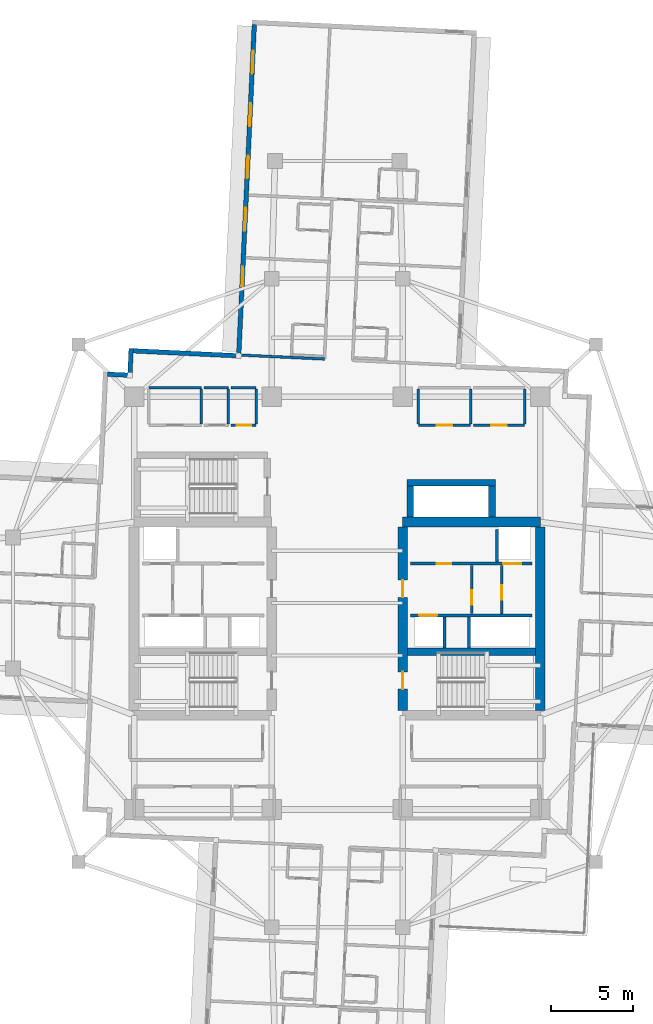
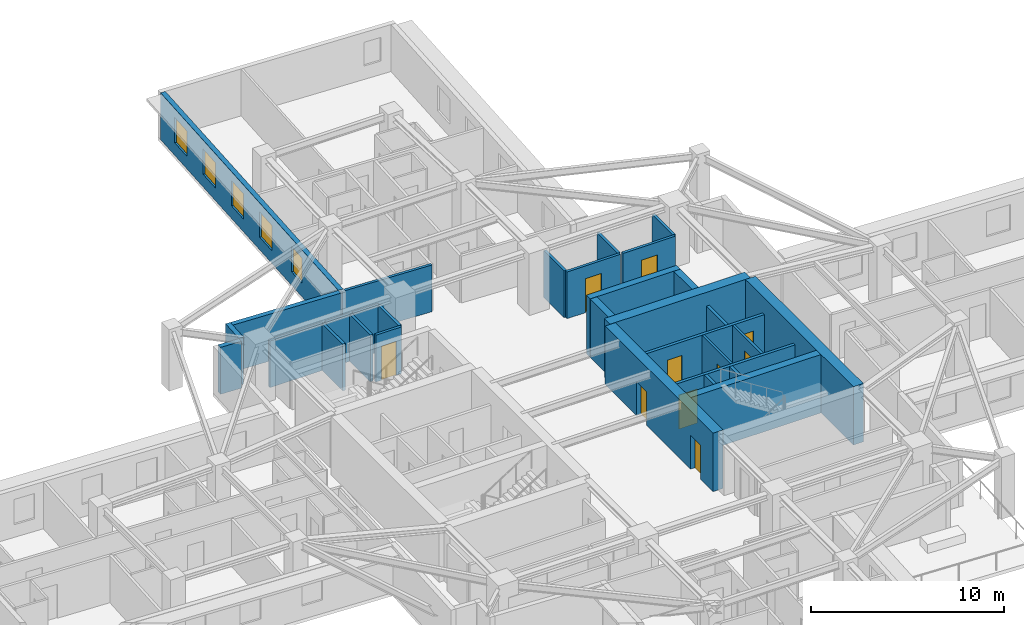
# One storey, part 7 of 14: 31 walls, 10 doors, 5 windows, 15 openings.
"""IFC4 building model written with IfcOpenShell, lengths in metres."""

from ifc_helpers import new_model, si_unit, direction, frame, frame_2d, origin, place, context, subcontext, project, spatial, rectangle, extrude, material, layer, layer_set, type_object, element, fill, save


model = new_model("IFC4")

# Units and contexts
model_context = context("Model", 3, precision=1e-05, world=origin(), true_north=direction((0.0, 1.0)))
body_context = subcontext(model_context, "Body", "Model", "MODEL_VIEW")
ifc_project = project(units=[si_unit("LENGTHUNIT", "METRE"), si_unit("AREAUNIT", "SQUARE_METRE"), si_unit("VOLUMEUNIT", "CUBIC_METRE"), si_unit("PLANEANGLEUNIT", "RADIAN"), si_unit("MASSUNIT", "GRAM", prefix="KILO")], contexts=[model_context])

# Site, building, storey
site_placement = place(None, origin())
site = spatial("IfcSite", under=ifc_project, at=site_placement, CompositionType="ELEMENT")
building_placement = place(site_placement, origin())
building = spatial("IfcBuilding", under=site, at=building_placement, Name="Qingluan Cross Belvedere", CompositionType="ELEMENT")
storey_placement = place(building_placement, frame((0.0, 0.0, 172.199951171875)))
storey = spatial("IfcBuildingStorey", under=building, at=storey_placement, Name="L43", CompositionType="ELEMENT", Elevation=172.199951171875)

# Walls
ifc_material_1 = material(Name="Concrete C50", Category="concrete")
ifc_layer_1 = layer(ifc_material_1, 0.449951171875, Name="CoreShearWall_450")
ifc_layer_set_1 = layer_set([ifc_layer_1], Name="Concrete C50")
wall_type_1 = type_object("IfcWallType", Name="CoreShearWall_450", PredefinedType="SHEAR", material=ifc_layer_set_1)
wall_1_placement = place(storey_placement, frame((4.304931640625, -2.9599609375, 0.0), z_axis=(0.0, 0.0, 1.0), x_axis=(1.0, 0.0, 0.0)))
element("IfcWall", 1, at=wall_1_placement, inside=storey, type_object=wall_type_1, Name="Split core E shear wall L43-M", PredefinedType="SHEAR", context=body_context, shape_type="SweptSolid", body=[
    extrude(rectangle(XDim=7.7900390625, YDim=0.449951171875, at=frame_2d((3.89501953125, 0.0))), origin(), (0.0, 0.0, 1.0), 3.699951171875),
])
wall_2_placement = place(storey_placement, frame((4.449951171875, 5.2548828125, 0.0), z_axis=(0.0, 0.0, 1.0), x_axis=(0.0, 1.0, 0.0)))
element("IfcWall", 2, at=wall_2_placement, inside=storey, type_object=wall_type_1, Name="Express shuttle core wall L43-W", PredefinedType="SHEAR", context=body_context, shape_type="SweptSolid", body=[
    extrude(rectangle(XDim=1.885009765625, YDim=0.39990234375, at=frame_2d((0.9423828125, 0.0))), origin(), (0.0, 0.0, 1.0), 3.699951171875),
])
wall_3_placement = place(storey_placement, frame((4.25, 7.35009765625, 0.0), z_axis=(0.0, 0.0, 1.0), x_axis=(1.0, 0.0, 0.0)))
element("IfcWall", 3, at=wall_3_placement, inside=storey, type_object=wall_type_1, Name="Express shuttle core wall L43-N", PredefinedType="SHEAR", context=body_context, shape_type="SweptSolid", body=[
    extrude(rectangle(XDim=5.39990234375, YDim=0.39990234375, at=frame_2d((2.699951171875, 0.0))), origin(), (0.0, 0.0, 1.0), 3.699951171875),
])
wall_4_placement = place(storey_placement, frame((9.449951171875, 5.2548828125, 0.0), z_axis=(0.0, 0.0, 1.0), x_axis=(0.0, 1.0, 0.0)))
element("IfcWall", 4, at=wall_4_placement, inside=storey, type_object=wall_type_1, Name="Express shuttle core wall L43-E", PredefinedType="SHEAR", context=body_context, shape_type="SweptSolid", body=[
    extrude(rectangle(XDim=1.885009765625, YDim=0.39990234375, at=frame_2d((0.9423828125, 0.0))), origin(), (0.0, 0.0, 1.0), 3.699951171875),
])
ifc_material_2 = material(Name="Concrete C60", Category="concrete")
ifc_layer_2 = layer(ifc_material_2, 0.60009765625, Name="CoreShearWall_600")
ifc_layer_set_2 = layer_set([ifc_layer_2], Name="Concrete C60")
wall_type_2 = type_object("IfcWallType", Name="CoreShearWall_600", PredefinedType="SHEAR", material=ifc_layer_set_2)
wall_5_placement = place(storey_placement, frame((4.0, 4.949951171875, 0.0), z_axis=(0.0, 0.0, 1.0), x_axis=(1.0, 0.0, 0.0)))
element("IfcWall", 5, at=wall_5_placement, inside=storey, type_object=wall_type_2, Name="Split core E shear wall L43-N", PredefinedType="SHEAR", context=body_context, shape_type="SweptSolid", body=[
    extrude(rectangle(XDim=8.39990234375, YDim=0.60009765625, at=frame_2d((4.199951171875, 0.0))), origin(), (0.0, 0.0, 1.0), 3.699951171875),
])

# Wall, openings, doors
wall_6_placement = place(storey_placement, frame((4.0, -6.544921875, 0.0), z_axis=(0.0, 0.0, 1.0), x_axis=(0.0, 1.0, 0.0)))
wall_6 = element("IfcWall", 6, at=wall_6_placement, inside=storey, type_object=wall_type_2, Name="Split core E shear wall L43-W", PredefinedType="SHEAR", context=body_context, shape_type="SweptSolid", body=[
    extrude(rectangle(XDim=11.18994140625, YDim=0.60009765625, at=frame_2d((5.594970703125, 0.0))), origin(), (0.0, 0.0, 1.0), 3.699951171875),
])
opening_1_placement = place(wall_6_placement, frame((1.294921875, 0.0, 0.0)))
opening_1 = element("IfcOpeningElement", 7, at=opening_1_placement, cuts=wall_6, Name="Opening FD-B11", PredefinedType="OPENING", context=body_context, shape_type="SweptSolid", body=[
    extrude(rectangle(XDim=1.050048828125, YDim=2.14990234375, at=frame_2d((0.52490234375, 1.074951171875))), frame((0.0, 0.31005859375, 0.0), z_axis=(0.0, -1.0, 0.0), x_axis=(1.0, 0.0, 0.0)), (0.0, 0.0, 1.0), 0.6201171875),
])
opening_2_placement = place(wall_6_placement, frame((6.89501953125, 0.0, 0.0)))
opening_2 = element("IfcOpeningElement", 8, at=opening_2_placement, cuts=wall_6, Name="Opening FD-B11", PredefinedType="OPENING", context=body_context, shape_type="SweptSolid", body=[
    extrude(rectangle(XDim=1.050048828125, YDim=2.14990234375, at=frame_2d((0.52490234375, 1.074951171875))), frame((0.0, 0.31005859375, 0.0), z_axis=(0.0, -1.0, 0.0), x_axis=(1.0, 0.0, 0.0)), (0.0, 0.0, 1.0), 0.6201171875),
])
ifc_material_3 = material(Name="Steel Class B smoke-seal fire door", Category="steel")
door_type_1 = type_object("IfcDoorType", Name="StairLobbyFireDoor_FDB", OperationType="NOTDEFINED", PredefinedType="DOOR", material=ifc_material_3)
door_1_placement = place(opening_1_placement, origin())
door_1 = element("IfcDoor", 9, at=door_1_placement, inside=storey, type_object=door_type_1, Name="Smoke-proof stair ST2 fire door L43", OperationType="SINGLE_SWING_RIGHT", OverallHeight=2.14990234375, OverallWidth=1.050048828125, PredefinedType="DOOR", context=body_context, shape_type="SweptSolid", body=[
    extrude(rectangle(XDim=1.050048828125, YDim=2.14990234375, at=frame_2d((0.52490234375, 1.074951171875))), frame((0.0, 0.02490234375, 0.0), z_axis=(0.0, -1.0, 0.0), x_axis=(1.0, 0.0, 0.0)), (0.0, 0.0, 1.0), 0.050048828125),
])
fill(opening_1, door_1)
door_2_placement = place(opening_2_placement, origin())
door_2 = element("IfcDoor", 10, at=door_2_placement, inside=storey, type_object=door_type_1, Name="Firefighting lobby East fire door L43", OperationType="SINGLE_SWING_RIGHT", OverallHeight=2.14990234375, OverallWidth=1.050048828125, PredefinedType="DOOR", context=body_context, shape_type="SweptSolid", body=[
    extrude(rectangle(XDim=1.050048828125, YDim=2.14990234375, at=frame_2d((0.52490234375, 1.074951171875))), frame((0.0, 0.02490234375, 0.0), z_axis=(0.0, -1.0, 0.0), x_axis=(1.0, 0.0, 0.0)), (0.0, 0.0, 1.0), 0.050048828125),
])
fill(opening_2, door_2)

# Wall
wall_7_placement = place(storey_placement, frame((12.39990234375, -6.544921875, 0.0), z_axis=(0.0, 0.0, 1.0), x_axis=(0.0, 1.0, 0.0)))
element("IfcWall", 11, at=wall_7_placement, inside=storey, type_object=wall_type_2, Name="Split core E shear wall L43-E", PredefinedType="SHEAR", context=body_context, shape_type="SweptSolid", body=[
    extrude(rectangle(XDim=11.18994140625, YDim=0.60009765625, at=frame_2d((5.594970703125, 0.0))), origin(), (0.0, 0.0, 1.0), 3.699951171875),
])

# Wall, opening, door
ifc_material_4 = material(Name="Gypsum plasterboard on steel stud acoustic partition", Category="steel")
ifc_layer_3 = layer(ifc_material_4, 0.159912109375, Name="CorridorPartition_160")
ifc_layer_set_3 = layer_set([ifc_layer_3], Name="Gypsum plasterboard on steel stud acoustic partition")
wall_type_3 = type_object("IfcWallType", Name="CorridorPartition_160", PredefinedType="PARTITIONING", material=ifc_layer_set_3)
wall_8_placement = place(storey_placement, frame((10.050048828125, -0.652099609375, 0.0), z_axis=(0.0, 0.0, 1.0), x_axis=(0.0, 1.0, 0.0)))
wall_8 = element("IfcWall", 12, at=wall_8_placement, inside=storey, type_object=wall_type_3, Name="Partition L43:ev", PredefinedType="PARTITIONING", context=body_context, shape_type="SweptSolid", body=[
    extrude(rectangle(XDim=2.962158203125, YDim=0.139892578125, at=frame_2d((1.48095703125, 0.0))), origin(), (0.0, 0.0, 1.0), 2.9599609375),
])
opening_3_placement = place(wall_8_placement, frame((0.85009765625, 0.0, 0.0)))
opening_3 = element("IfcOpeningElement", 13, at=opening_3_placement, cuts=wall_8, Name="Opening FD-B10", PredefinedType="OPENING", context=body_context, shape_type="SweptSolid", body=[
    extrude(rectangle(XDim=0.8798828125, YDim=2.10009765625, at=frame_2d((0.43994140625, 1.050048828125))), frame((0.0, 0.079833984375, 0.0), z_axis=(0.0, -1.0, 0.0), x_axis=(1.0, 0.0, 0.0)), (0.0, 0.0, 1.0), 0.159912109375),
])
ifc_material_5 = material(Name="Steel Class B service fire door", Category="steel")
door_type_2 = type_object("IfcDoorType", Name="RiserServiceFireDoor_FDB", OperationType="NOTDEFINED", PredefinedType="DOOR", material=ifc_material_5)
door_3_placement = place(opening_3_placement, origin())
door_3 = element("IfcDoor", 14, at=door_3_placement, inside=storey, type_object=door_type_2, Name="Service closet inner door L43", OperationType="SINGLE_SWING_LEFT", OverallHeight=2.10009765625, OverallWidth=0.8798828125, PredefinedType="DOOR", context=body_context, shape_type="SweptSolid", body=[
    extrude(rectangle(XDim=0.8798828125, YDim=2.10009765625, at=frame_2d((0.43994140625, 1.050048828125))), frame((0.0, 0.02490234375, 0.0), z_axis=(0.0, -1.0, 0.0), x_axis=(1.0, 0.0, 0.0)), (0.0, 0.0, 1.0), 0.050048828125),
])
fill(opening_3, door_3)

# Walls
wall_9_placement = place(storey_placement, frame((-11.5, 13.14990234375, 0.0), z_axis=(0.0, 0.0, 1.0), x_axis=(1.0, 0.0, 0.0)))
element("IfcWall", 15, at=wall_9_placement, inside=storey, type_object=wall_type_3, Name="Partition L43:q_nw_occ:N", PredefinedType="PARTITIONING", context=body_context, shape_type="SweptSolid", body=[
    extrude(rectangle(XDim=3.199951171875, YDim=0.159912109375, at=frame_2d((1.60009765625, 0.0))), origin(), (0.0, 0.0, 1.0), 2.9599609375),
])
wall_10_placement = place(storey_placement, frame((-8.300048828125, 10.93505859375, 0.0), z_axis=(0.0, 0.0, 1.0), x_axis=(0.0, 1.0, 0.0)))
element("IfcWall", 16, at=wall_10_placement, inside=storey, type_object=wall_type_3, Name="Partition L43:q_nw_occ:E", PredefinedType="PARTITIONING", context=body_context, shape_type="SweptSolid", body=[
    extrude(rectangle(XDim=2.1298828125, YDim=0.159912109375, at=frame_2d((1.06494140625, 0.0))), origin(), (0.0, 0.0, 1.0), 2.9599609375),
])
wall_11_placement = place(storey_placement, frame((-8.139892578125, 13.14990234375, 0.0), z_axis=(0.0, 0.0, 1.0), x_axis=(1.0, 0.0, 0.0)))
element("IfcWall", 17, at=wall_11_placement, inside=storey, type_object=wall_type_3, Name="Partition L43:hk_linen:N", PredefinedType="PARTITIONING", context=body_context, shape_type="SweptSolid", body=[
    extrude(rectangle(XDim=1.489990234375, YDim=0.159912109375, at=frame_2d((0.7451171875, 0.0))), origin(), (0.0, 0.0, 1.0), 2.9599609375),
])
wall_12_placement = place(storey_placement, frame((-6.64990234375, 10.93505859375, 0.0), z_axis=(0.0, 0.0, 1.0), x_axis=(0.0, 1.0, 0.0)))
element("IfcWall", 18, at=wall_12_placement, inside=storey, type_object=wall_type_3, Name="Partition L43:hk_linen:E", PredefinedType="PARTITIONING", context=body_context, shape_type="SweptSolid", body=[
    extrude(rectangle(XDim=2.1298828125, YDim=0.159912109375, at=frame_2d((1.06494140625, 0.0))), origin(), (0.0, 0.0, 1.0), 2.9599609375),
])

# Wall, opening, door
wall_13_placement = place(storey_placement, frame((-6.489990234375, 10.85009765625, 0.0), z_axis=(0.0, 0.0, 1.0), x_axis=(1.0, 0.0, 0.0)))
wall_13 = element("IfcWall", 19, at=wall_13_placement, inside=storey, type_object=wall_type_3, Name="Partition L43:floor_acc_wc:S", PredefinedType="PARTITIONING", context=body_context, shape_type="SweptSolid", body=[
    extrude(rectangle(XDim=1.5400390625, YDim=0.159912109375, at=frame_2d((0.77001953125, 0.0))), origin(), (0.0, 0.0, 1.0), 2.9599609375),
])
opening_4_placement = place(wall_13_placement, frame((0.35009765625, 0.0, 0.0)))
opening_4 = element("IfcOpeningElement", 20, at=opening_4_placement, cuts=wall_13, Name="Opening BD-08", PredefinedType="OPENING", context=body_context, shape_type="SweptSolid", body=[
    extrude(rectangle(XDim=0.8798828125, YDim=2.14990234375, at=frame_2d((0.43994140625, 1.074951171875))), frame((0.0, 0.08984375, 0.0), z_axis=(0.0, -1.0, 0.0), x_axis=(1.0, 0.0, 0.0)), (0.0, 0.0, 1.0), 0.179931640625),
])
ifc_material_6 = material(Name="Moisture-sealed timber accessible WC door", Category="wood")
door_type_3 = type_object("IfcDoorType", Name="AccessibleWCDoor_880", OperationType="NOTDEFINED", PredefinedType="DOOR", material=ifc_material_6)
door_4_placement = place(opening_4_placement, origin())
door_4 = element("IfcDoor", 21, at=door_4_placement, inside=storey, type_object=door_type_3, Name="Accessible guest washroom L43 door", OperationType="SINGLE_SWING_RIGHT", OverallHeight=2.14990234375, OverallWidth=0.8798828125, PredefinedType="DOOR", context=body_context, shape_type="SweptSolid", body=[
    extrude(rectangle(XDim=0.8798828125, YDim=2.14990234375, at=frame_2d((0.43994140625, 1.074951171875))), frame((0.0, 0.02490234375, 0.0), z_axis=(0.0, -1.0, 0.0), x_axis=(1.0, 0.0, 0.0)), (0.0, 0.0, 1.0), 0.050048828125),
])
fill(opening_4, door_4)

# Walls
wall_14_placement = place(storey_placement, frame((-6.489990234375, 13.14990234375, 0.0), z_axis=(0.0, 0.0, 1.0), x_axis=(1.0, 0.0, 0.0)))
element("IfcWall", 22, at=wall_14_placement, inside=storey, type_object=wall_type_3, Name="Partition L43:floor_acc_wc:N", PredefinedType="PARTITIONING", context=body_context, shape_type="SweptSolid", body=[
    extrude(rectangle(XDim=1.5400390625, YDim=0.159912109375, at=frame_2d((0.77001953125, 0.0))), origin(), (0.0, 0.0, 1.0), 2.9599609375),
])
wall_15_placement = place(storey_placement, frame((-4.949951171875, 10.93505859375, 0.0), z_axis=(0.0, 0.0, 1.0), x_axis=(0.0, 1.0, 0.0)))
element("IfcWall", 23, at=wall_15_placement, inside=storey, type_object=wall_type_3, Name="Partition L43:floor_acc_wc:E", PredefinedType="PARTITIONING", context=body_context, shape_type="SweptSolid", body=[
    extrude(rectangle(XDim=2.1298828125, YDim=0.159912109375, at=frame_2d((1.06494140625, 0.0))), origin(), (0.0, 0.0, 1.0), 2.9599609375),
])

# Wall, opening, door
wall_16_placement = place(storey_placement, frame((4.949951171875, 10.85009765625, 0.0), z_axis=(0.0, 0.0, 1.0), x_axis=(1.0, 0.0, 0.0)))
wall_16 = element("IfcWall", 24, at=wall_16_placement, inside=storey, type_object=wall_type_3, Name="Partition L43:q_ne1:S", PredefinedType="PARTITIONING", context=body_context, shape_type="SweptSolid", body=[
    extrude(rectangle(XDim=3.199951171875, YDim=0.159912109375, at=frame_2d((1.60009765625, 0.0))), origin(), (0.0, 0.0, 1.0), 2.9599609375),
])
opening_5_placement = place(wall_16_placement, frame((1.1201171875, 0.0, 0.0)))
opening_5 = element("IfcOpeningElement", 25, at=opening_5_placement, cuts=wall_16, Name="Opening GD-10", PredefinedType="OPENING", context=body_context, shape_type="SweptSolid", body=[
    extrude(rectangle(XDim=0.9599609375, YDim=2.14990234375, at=frame_2d((0.47998046875, 1.074951171875))), frame((0.0, 0.08984375, 0.0), z_axis=(0.0, -1.0, 0.0), x_axis=(1.0, 0.0, 0.0)), (0.0, 0.0, 1.0), 0.179931640625),
])
ifc_material_7 = material(Name="Timber oak fire-rated acoustic guestroom door", Category="wood")
door_type_4 = type_object("IfcDoorType", Name="GuestEntryDoor_FD60", OperationType="NOTDEFINED", PredefinedType="DOOR", material=ifc_material_7)
door_5_placement = place(opening_5_placement, origin())
door_5 = element("IfcDoor", 26, at=door_5_placement, inside=storey, type_object=door_type_4, Name="Meditation wellness hall L43 door", OperationType="SINGLE_SWING_LEFT", OverallHeight=2.14990234375, OverallWidth=0.9599609375, PredefinedType="DOOR", context=body_context, shape_type="SweptSolid", body=[
    extrude(rectangle(XDim=0.9599609375, YDim=2.14990234375, at=frame_2d((0.47998046875, 1.074951171875))), frame((0.0, 0.02490234375, 0.0), z_axis=(0.0, -1.0, 0.0), x_axis=(1.0, 0.0, 0.0)), (0.0, 0.0, 1.0), 0.050048828125),
])
fill(opening_5, door_5)

# Walls
for number, where, z_axis, x_axis, name in (
    (27, (4.949951171875, 10.93505859375, 0.0), (0.0, 0.0, 1.0), (0.0, 1.0, 0.0), "Partition L43:q_ne1:W"),
    (28, (8.14990234375, 10.93505859375, 0.0), (0.0, 0.0, 1.0), (0.0, 1.0, 0.0), "Partition L43:q_ne1:E"),
):
    element("IfcWall", number, at=place(storey_placement, frame(where, z_axis=z_axis, x_axis=x_axis)), inside=storey, type_object=wall_type_3, Name=name, PredefinedType="PARTITIONING", context=body_context, shape_type="SweptSolid", body=[
        extrude(rectangle(XDim=2.1298828125, YDim=0.159912109375, at=frame_2d((1.06494140625, 0.0))), origin(), (0.0, 0.0, 1.0), 2.9599609375),
    ])

# Wall, opening, door
wall_17_placement = place(storey_placement, frame((8.31005859375, 10.85009765625, 0.0), z_axis=(0.0, 0.0, 1.0), x_axis=(1.0, 0.0, 0.0)))
wall_17 = element("IfcWall", 29, at=wall_17_placement, inside=storey, type_object=wall_type_3, Name="Partition L43:q_ne2:S", PredefinedType="PARTITIONING", context=body_context, shape_type="SweptSolid", body=[
    extrude(rectangle(XDim=3.139892578125, YDim=0.159912109375, at=frame_2d((1.56982421875, 0.0))), origin(), (0.0, 0.0, 1.0), 2.9599609375),
])
opening_6_placement = place(wall_17_placement, frame((1.090087890625, 0.0, 0.0)))
opening_6 = element("IfcOpeningElement", 30, at=opening_6_placement, cuts=wall_17, Name="Opening GD-10", PredefinedType="OPENING", context=body_context, shape_type="SweptSolid", body=[
    extrude(rectangle(XDim=0.9599609375, YDim=2.14990234375, at=frame_2d((0.47998046875, 1.074951171875))), frame((0.0, 0.08984375, 0.0), z_axis=(0.0, -1.0, 0.0), x_axis=(1.0, 0.0, 0.0)), (0.0, 0.0, 1.0), 0.179931640625),
])
door_6_placement = place(opening_6_placement, origin())
door_6 = element("IfcDoor", 31, at=door_6_placement, inside=storey, type_object=door_type_4, Name="Northeast quiet study L43 door", OperationType="SINGLE_SWING_RIGHT", OverallHeight=2.14990234375, OverallWidth=0.9599609375, PredefinedType="DOOR", context=body_context, shape_type="SweptSolid", body=[
    extrude(rectangle(XDim=0.9599609375, YDim=2.14990234375, at=frame_2d((0.47998046875, 1.074951171875))), frame((0.0, 0.02490234375, 0.0), z_axis=(0.0, -1.0, 0.0), x_axis=(1.0, 0.0, 0.0)), (0.0, 0.0, 1.0), 0.050048828125),
])
fill(opening_6, door_6)

# Walls
wall_18_placement = place(storey_placement, frame((11.449951171875, 10.93505859375, 0.0), z_axis=(0.0, 0.0, 1.0), x_axis=(0.0, 1.0, 0.0)))
element("IfcWall", 32, at=wall_18_placement, inside=storey, type_object=wall_type_3, Name="Partition L43:q_ne2:E", PredefinedType="PARTITIONING", context=body_context, shape_type="SweptSolid", body=[
    extrude(rectangle(XDim=2.1298828125, YDim=0.159912109375, at=frame_2d((1.06494140625, 0.0))), origin(), (0.0, 0.0, 1.0), 2.9599609375),
])
wall_19_placement = place(storey_placement, frame((-0.77880859375, 14.9033203125, 0.0), z_axis=(0.0, 0.0, 1.0), x_axis=(-0.998889957338, 0.047104703898, 0.0)))
element("IfcWall", 33, at=wall_19_placement, inside=storey, type_object=wall_type_3, Name="Partition L43:N:s1", PredefinedType="PARTITIONING", context=body_context, shape_type="SweptSolid", body=[
    extrude(rectangle(XDim=5.239990234375, YDim=0.159912109375, at=frame_2d((2.6201171875, 0.0))), origin(), (0.0, 0.0, 1.0), 2.9599609375),
])

# Wall, openings, windows
ifc_material_8 = material(Name="Precast concrete C45", Category="concrete")
ifc_layer_4 = layer(ifc_material_8, 0.280029296875, Name="PrecastFacadeWall_280")
ifc_layer_set_4 = layer_set([ifc_layer_4], Name="Precast concrete C45")
wall_type_4 = type_object("IfcWallType", Name="PrecastFacadeWall_280", PredefinedType="STANDARD", material=ifc_layer_set_4)
wall_20_placement = place(storey_placement, frame((-5.06201171875, 35.317626953125, 0.0), z_axis=(0.0, 0.0, 1.0), x_axis=(-0.047103473814, -0.998890015344, 0.0)))
wall_20 = element("IfcWall", 34, at=wall_20_placement, inside=storey, type_object=wall_type_4, Name="Facade wall L43-NB", PredefinedType="STANDARD", context=body_context, shape_type="SweptSolid", body=[
    extrude(rectangle(XDim=20.099853515625, YDim=0.280029296875, at=frame_2d((10.0498046875, 0.0))), origin(), (0.0, 0.0, 1.0), 2.969970703125),
])
opening_7_placement = place(wall_20_placement, frame((1.60009765625, 0.0, 0.800048828125)))
opening_7 = element("IfcOpeningElement", 35, at=opening_7_placement, cuts=wall_20, Name="Opening W-01", PredefinedType="OPENING", context=body_context, shape_type="SweptSolid", body=[
    extrude(rectangle(XDim=1.39990234375, YDim=1.60009765625, at=frame_2d((0.699951171875, 0.800048828125))), frame((0.0, 0.14990234375, 0.0), z_axis=(0.0, -1.0, 0.0), x_axis=(1.0, 0.0, 0.0)), (0.0, 0.0, 1.0), 0.300048828125),
])
opening_8_placement = place(wall_20_placement, frame((4.800048828125, 0.0, 0.800048828125)))
opening_8 = element("IfcOpeningElement", 36, at=opening_8_placement, cuts=wall_20, Name="Opening W-01", PredefinedType="OPENING", context=body_context, shape_type="SweptSolid", body=[
    extrude(rectangle(XDim=1.39990234375, YDim=1.60009765625, at=frame_2d((0.699951171875, 0.800048828125))), frame((0.0, 0.14990234375, 0.0), z_axis=(0.0, -1.0, 0.0), x_axis=(1.0, 0.0, 0.0)), (0.0, 0.0, 1.0), 0.300048828125),
])
opening_9_placement = place(wall_20_placement, frame((8.0, 0.0, 0.800048828125)))
opening_9 = element("IfcOpeningElement", 37, at=opening_9_placement, cuts=wall_20, Name="Opening W-01", PredefinedType="OPENING", context=body_context, shape_type="SweptSolid", body=[
    extrude(rectangle(XDim=1.39990234375, YDim=1.60009765625, at=frame_2d((0.699951171875, 0.800048828125))), frame((0.0, 0.14990234375, 0.0), z_axis=(0.0, -1.0, 0.0), x_axis=(1.0, 0.0, 0.0)), (0.0, 0.0, 1.0), 0.300048828125),
])
opening_10_placement = place(wall_20_placement, frame((11.199951171875, 0.0, 0.800048828125)))
opening_10 = element("IfcOpeningElement", 38, at=opening_10_placement, cuts=wall_20, Name="Opening W-01", PredefinedType="OPENING", context=body_context, shape_type="SweptSolid", body=[
    extrude(rectangle(XDim=1.39990234375, YDim=1.60009765625, at=frame_2d((0.699951171875, 0.800048828125))), frame((0.0, 0.14990234375, 0.0), z_axis=(0.0, -1.0, 0.0), x_axis=(1.0, 0.0, 0.0)), (0.0, 0.0, 1.0), 0.300048828125),
])
opening_11_placement = place(wall_20_placement, frame((14.799072265625, 0.0, 0.85009765625)))
opening_11 = element("IfcOpeningElement", 39, at=opening_11_placement, cuts=wall_20, Name="Opening W-02", PredefinedType="OPENING", context=body_context, shape_type="SweptSolid", body=[
    extrude(rectangle(XDim=1.199951171875, YDim=1.60009765625, at=frame_2d((0.60009765625, 0.800048828125))), frame((0.0, 0.14990234375, 0.0), z_axis=(0.0, -1.0, 0.0), x_axis=(1.0, 0.0, 0.0)), (0.0, 0.0, 1.0), 0.300048828125),
])
ifc_material_9 = material(Name="Thermally broken triple Low-E glass in aluminium frame", Category="aluminium")
window_type_1 = type_object("IfcWindowType", Name="TriRibbonWin_1200x1600", PartitioningType="SINGLE_PANEL", PredefinedType="WINDOW", material=ifc_material_9)
window_1_placement = place(opening_11_placement, origin())
window_1 = element("IfcWindow", 40, at=window_1_placement, inside=storey, type_object=window_type_1, Name="Corner hotel suite 4313 daylight window", OverallHeight=1.60009765625, OverallWidth=1.199951171875, PartitioningType="SINGLE_PANEL", PredefinedType="WINDOW", context=body_context, shape_type="SweptSolid", body=[
    extrude(rectangle(XDim=1.199951171875, YDim=1.60009765625, at=frame_2d((0.60009765625, 0.800048828125))), frame((0.0, 0.030029296875, 0.0), z_axis=(0.0, -1.0, 0.0), x_axis=(1.0, 0.0, 0.0)), (0.0, 0.0, 1.0), 0.06005859375),
])
fill(opening_11, window_1)
ifc_material_10 = material(Name="Thermally broken triple Low-E glass in aluminium frame", Category="aluminium")
window_type_2 = type_object("IfcWindowType", Name="TriRibbonWin_1400x1600", PartitioningType="SINGLE_PANEL", PredefinedType="WINDOW", material=ifc_material_10)
window_2_placement = place(opening_7_placement, origin())
window_2 = element("IfcWindow", 41, at=window_2_placement, inside=storey, type_object=window_type_2, Name="Ribbon window L43-NB-1", OverallHeight=1.60009765625, OverallWidth=1.39990234375, PartitioningType="SINGLE_PANEL", PredefinedType="WINDOW", context=body_context, shape_type="SweptSolid", body=[
    extrude(rectangle(XDim=1.39990234375, YDim=1.60009765625, at=frame_2d((0.699951171875, 0.800048828125))), frame((0.0, 0.030029296875, 0.0), z_axis=(0.0, -1.0, 0.0), x_axis=(1.0, 0.0, 0.0)), (0.0, 0.0, 1.0), 0.06005859375),
])
fill(opening_7, window_2)
window_3_placement = place(opening_8_placement, origin())
window_3 = element("IfcWindow", 42, at=window_3_placement, inside=storey, type_object=window_type_2, Name="Ribbon window L43-NB-2", OverallHeight=1.60009765625, OverallWidth=1.39990234375, PartitioningType="SINGLE_PANEL", PredefinedType="WINDOW", context=body_context, shape_type="SweptSolid", body=[
    extrude(rectangle(XDim=1.39990234375, YDim=1.60009765625, at=frame_2d((0.699951171875, 0.800048828125))), frame((0.0, 0.030029296875, 0.0), z_axis=(0.0, -1.0, 0.0), x_axis=(1.0, 0.0, 0.0)), (0.0, 0.0, 1.0), 0.06005859375),
])
fill(opening_8, window_3)
window_4_placement = place(opening_9_placement, origin())
window_4 = element("IfcWindow", 43, at=window_4_placement, inside=storey, type_object=window_type_2, Name="Ribbon window L43-NB-3", OverallHeight=1.60009765625, OverallWidth=1.39990234375, PartitioningType="SINGLE_PANEL", PredefinedType="WINDOW", context=body_context, shape_type="SweptSolid", body=[
    extrude(rectangle(XDim=1.39990234375, YDim=1.60009765625, at=frame_2d((0.699951171875, 0.800048828125))), frame((0.0, 0.030029296875, 0.0), z_axis=(0.0, -1.0, 0.0), x_axis=(1.0, 0.0, 0.0)), (0.0, 0.0, 1.0), 0.06005859375),
])
fill(opening_9, window_4)
window_5_placement = place(opening_10_placement, origin())
window_5 = element("IfcWindow", 44, at=window_5_placement, inside=storey, type_object=window_type_2, Name="Ribbon window L43-NB-4", OverallHeight=1.60009765625, OverallWidth=1.39990234375, PartitioningType="SINGLE_PANEL", PredefinedType="WINDOW", context=body_context, shape_type="SweptSolid", body=[
    extrude(rectangle(XDim=1.39990234375, YDim=1.60009765625, at=frame_2d((0.699951171875, 0.800048828125))), frame((0.0, 0.030029296875, 0.0), z_axis=(0.0, -1.0, 0.0), x_axis=(1.0, 0.0, 0.0)), (0.0, 0.0, 1.0), 0.06005859375),
])
fill(opening_10, window_5)

# Walls
wall_21_placement = place(storey_placement, frame((-14.01708984375, 13.975830078125, 0.0), z_axis=(0.0, 0.0, 1.0), x_axis=(0.998883930236, -0.047232339719, 0.0)))
element("IfcWall", 45, at=wall_21_placement, inside=storey, type_object=wall_type_4, Name="Corner wall L43-NW2", PredefinedType="STANDARD", context=body_context, shape_type="SweptSolid", body=[
    extrude(rectangle(XDim=1.219970703125, YDim=0.280029296875, at=frame_2d((0.60986328125, 0.0))), origin(), (0.0, 0.0, 1.0), 2.969970703125),
])
wall_22_placement = place(storey_placement, frame((-12.652099609375, 14.051513671875, 0.0), z_axis=(0.0, 0.0, 1.0), x_axis=(0.047039284441, 0.99889304018, 0.0)))
element("IfcWall", 46, at=wall_22_placement, inside=storey, type_object=wall_type_4, Name="Corner wall L43-NW3", PredefinedType="STANDARD", context=body_context, shape_type="SweptSolid", body=[
    extrude(rectangle(XDim=1.5, YDim=0.280029296875, at=frame_2d((0.75, 0.0))), origin(), (0.0, 0.0, 1.0), 2.969970703125),
])
wall_23_placement = place(storey_placement, frame((-12.4482421875, 15.403564453125, 0.0), z_axis=(0.0, 0.0, 1.0), x_axis=(0.998889082162, -0.047123258997, 0.0)))
element("IfcWall", 47, at=wall_23_placement, inside=storey, type_object=wall_type_4, Name="Corner wall L43-NW4", PredefinedType="STANDARD", context=body_context, shape_type="SweptSolid", body=[
    extrude(rectangle(XDim=6.300048828125, YDim=0.280029296875, at=frame_2d((3.14990234375, 0.0))), origin(), (0.0, 0.0, 1.0), 2.969970703125),
])

# Wall, openings, doors
ifc_material_11 = material(Name="Concrete C40", Category="concrete")
ifc_layer_5 = layer(ifc_material_11, 0.219970703125, Name="ShaftEnclosureWall_250")
ifc_layer_set_5 = layer_set([ifc_layer_5], Name="Concrete C40")
wall_type_5 = type_object("IfcWallType", Name="ShaftEnclosureWall_250", PredefinedType="SOLIDWALL", material=ifc_layer_set_5)
wall_24_placement = place(storey_placement, frame((4.47998046875, 2.409912109375, 0.0), z_axis=(0.0, 0.0, 1.0), x_axis=(1.0, 0.0, 0.0)))
wall_24 = element("IfcWall", 48, at=wall_24_placement, inside=storey, type_object=wall_type_5, Name="Core-E north hoistway wall L43", PredefinedType="SOLIDWALL", context=body_context, shape_type="SweptSolid", body=[
    extrude(rectangle(XDim=7.419921875, YDim=0.179931640625, at=frame_2d((3.7099609375, 0.0))), origin(), (0.0, 0.0, 1.0), 2.9599609375),
])
opening_12_placement = place(wall_24_placement, frame((5.669921875, 0.0, 0.0)))
opening_12 = element("IfcOpeningElement", 49, at=opening_12_placement, cuts=wall_24, Name="Opening LD-11", PredefinedType="OPENING", context=body_context, shape_type="SweptSolid", body=[
    extrude(rectangle(XDim=1.10009765625, YDim=2.14990234375, at=frame_2d((0.550048828125, 1.074951171875))), frame((0.0, 0.099853515625, 0.0), z_axis=(0.0, -1.0, 0.0), x_axis=(1.0, 0.0, 0.0)), (0.0, 0.0, 1.0), 0.199951171875),
])
opening_13_placement = place(wall_24_placement, frame((1.60009765625, 0.0, 0.0)))
opening_13 = element("IfcOpeningElement", 50, at=opening_13_placement, cuts=wall_24, Name="Opening FD-B10", PredefinedType="OPENING", context=body_context, shape_type="SweptSolid", body=[
    extrude(rectangle(XDim=0.8798828125, YDim=2.10009765625, at=frame_2d((0.43994140625, 1.050048828125))), frame((0.0, 0.099853515625, 0.0), z_axis=(0.0, -1.0, 0.0), x_axis=(1.0, 0.0, 0.0)), (0.0, 0.0, 1.0), 0.199951171875),
])
ifc_material_12 = material(Name="Brushed stainless steel centre-opening lift landing door", Category="steel")
door_type_5 = type_object("IfcDoorType", Name="LiftLandingSlidingDoor_1100", OperationType="DOUBLE_DOOR_SLIDING", PredefinedType="DOOR", material=ifc_material_12)
door_7_placement = place(opening_12_placement, origin())
door_7 = element("IfcDoor", 51, at=door_7_placement, inside=storey, type_object=door_type_5, Name="Lift landing sliding door FL2 L43", OperationType="DOUBLE_DOOR_SLIDING", OverallHeight=2.14990234375, OverallWidth=1.10009765625, PredefinedType="DOOR", context=body_context, shape_type="SweptSolid", body=[
    extrude(rectangle(XDim=1.10009765625, YDim=2.14990234375, at=frame_2d((0.550048828125, 1.074951171875))), frame((0.0, 0.02490234375, 0.0), z_axis=(0.0, -1.0, 0.0), x_axis=(1.0, 0.0, 0.0)), (0.0, 0.0, 1.0), 0.050048828125),
])
fill(opening_12, door_7)
door_8_placement = place(opening_13_placement, origin())
door_8 = element("IfcDoor", 52, at=door_8_placement, inside=storey, type_object=door_type_2, Name="Pantry room door E L43", OperationType="SINGLE_SWING_LEFT", OverallHeight=2.10009765625, OverallWidth=0.8798828125, PredefinedType="DOOR", context=body_context, shape_type="SweptSolid", body=[
    extrude(rectangle(XDim=0.8798828125, YDim=2.10009765625, at=frame_2d((0.43994140625, 1.050048828125))), frame((0.0, 0.02490234375, 0.0), z_axis=(0.0, -1.0, 0.0), x_axis=(1.0, 0.0, 0.0)), (0.0, 0.0, 1.0), 0.050048828125),
])
fill(opening_13, door_8)

# Wall, opening, door
wall_25_placement = place(storey_placement, frame((4.47998046875, -0.75, 0.0), z_axis=(0.0, 0.0, 1.0), x_axis=(1.0, 0.0, 0.0)))
wall_25 = element("IfcWall", 53, at=wall_25_placement, inside=storey, type_object=wall_type_5, Name="Core-E mid hoistway wall L43", PredefinedType="SOLIDWALL", context=body_context, shape_type="SweptSolid", body=[
    extrude(rectangle(XDim=7.419921875, YDim=0.179931640625, at=frame_2d((3.7099609375, 0.0))), origin(), (0.0, 0.0, 1.0), 2.9599609375),
])
opening_14_placement = place(wall_25_placement, frame((0.52001953125, 0.0, 0.0)))
opening_14 = element("IfcOpeningElement", 54, at=opening_14_placement, cuts=wall_25, Name="Opening LD-11", PredefinedType="OPENING", context=body_context, shape_type="SweptSolid", body=[
    extrude(rectangle(XDim=1.10009765625, YDim=2.14990234375, at=frame_2d((0.550048828125, 1.074951171875))), frame((0.0, 0.099853515625, 0.0), z_axis=(0.0, -1.0, 0.0), x_axis=(1.0, 0.0, 0.0)), (0.0, 0.0, 1.0), 0.199951171875),
])
door_9_placement = place(opening_14_placement, origin())
door_9 = element("IfcDoor", 55, at=door_9_placement, inside=storey, type_object=door_type_5, Name="Lift landing sliding door LP7 L43", OperationType="DOUBLE_DOOR_SLIDING", OverallHeight=2.14990234375, OverallWidth=1.10009765625, PredefinedType="DOOR", context=body_context, shape_type="SweptSolid", body=[
    extrude(rectangle(XDim=1.10009765625, YDim=2.14990234375, at=frame_2d((0.550048828125, 1.074951171875))), frame((0.0, 0.02490234375, 0.0), z_axis=(0.0, -1.0, 0.0), x_axis=(1.0, 0.0, 0.0)), (0.0, 0.0, 1.0), 0.050048828125),
])
fill(opening_14, door_9)

# Walls
wall_26_placement = place(storey_placement, frame((9.760009765625, 2.5, 0.0), z_axis=(0.0, 0.0, 1.0), x_axis=(0.0, 1.0, 0.0)))
element("IfcWall", 56, at=wall_26_placement, inside=storey, type_object=wall_type_5, Name="Hoistway enclosure divider FL2W L43", PredefinedType="SOLIDWALL", context=body_context, shape_type="SweptSolid", body=[
    extrude(rectangle(XDim=1.989990234375, YDim=0.179931640625, at=frame_2d((0.9951171875, 0.0))), origin(), (0.0, 0.0, 1.0), 2.9599609375),
])
for number, where, z_axis, x_axis, name in (
    (57, (6.5400390625, -2.72998046875, 0.0), (0.0, 0.0, 1.0), (0.0, 1.0, 0.0), "Hoistway enclosure divider LP7E L43"),
    (58, (8.06005859375, -2.72998046875, 0.0), (0.0, 0.0, 1.0), (0.0, 1.0, 0.0), "Hoistway enclosure divider LP9W L43"),
):
    element("IfcWall", number, at=place(storey_placement, frame(where, z_axis=z_axis, x_axis=x_axis)), inside=storey, type_object=wall_type_5, Name=name, PredefinedType="SOLIDWALL", context=body_context, shape_type="SweptSolid", body=[
        extrude(rectangle(XDim=1.889892578125, YDim=0.179931640625, at=frame_2d((0.94482421875, 0.0))), origin(), (0.0, 0.0, 1.0), 2.9599609375),
    ])

# Wall, opening, door
wall_27_placement = place(storey_placement, frame((8.219970703125, -0.64990234375, 0.0), z_axis=(0.0, 0.0, 1.0), x_axis=(0.0, 1.0, 0.0)))
wall_27 = element("IfcWall", 59, at=wall_27_placement, inside=storey, type_object=wall_type_5, Name="Core-E service corridor wall L43", PredefinedType="SOLIDWALL", context=body_context, shape_type="SweptSolid", body=[
    extrude(rectangle(XDim=2.9599609375, YDim=0.139892578125, at=frame_2d((1.47998046875, 0.0))), origin(), (0.0, 0.0, 1.0), 2.9599609375),
])
opening_15_placement = place(wall_27_placement, frame((0.550048828125, 0.0, 0.0)))
opening_15 = element("IfcOpeningElement", 60, at=opening_15_placement, cuts=wall_27, Name="Opening FD-B10", PredefinedType="OPENING", context=body_context, shape_type="SweptSolid", body=[
    extrude(rectangle(XDim=0.8798828125, YDim=2.10009765625, at=frame_2d((0.43994140625, 1.050048828125))), frame((0.0, 0.079833984375, 0.0), z_axis=(0.0, -1.0, 0.0), x_axis=(1.0, 0.0, 0.0)), (0.0, 0.0, 1.0), 0.159912109375),
])
door_10_placement = place(opening_15_placement, origin())
door_10 = element("IfcDoor", 61, at=door_10_placement, inside=storey, type_object=door_type_2, Name="Core-E service room door L43", OperationType="SINGLE_SWING_LEFT", OverallHeight=2.10009765625, OverallWidth=0.8798828125, PredefinedType="DOOR", context=body_context, shape_type="SweptSolid", body=[
    extrude(rectangle(XDim=0.8798828125, YDim=2.10009765625, at=frame_2d((0.43994140625, 1.050048828125))), frame((0.0, 0.02490234375, 0.0), z_axis=(0.0, -1.0, 0.0), x_axis=(1.0, 0.0, 0.0)), (0.0, 0.0, 1.0), 0.050048828125),
])
fill(opening_15, door_10)

save(model, "model.ifc")
